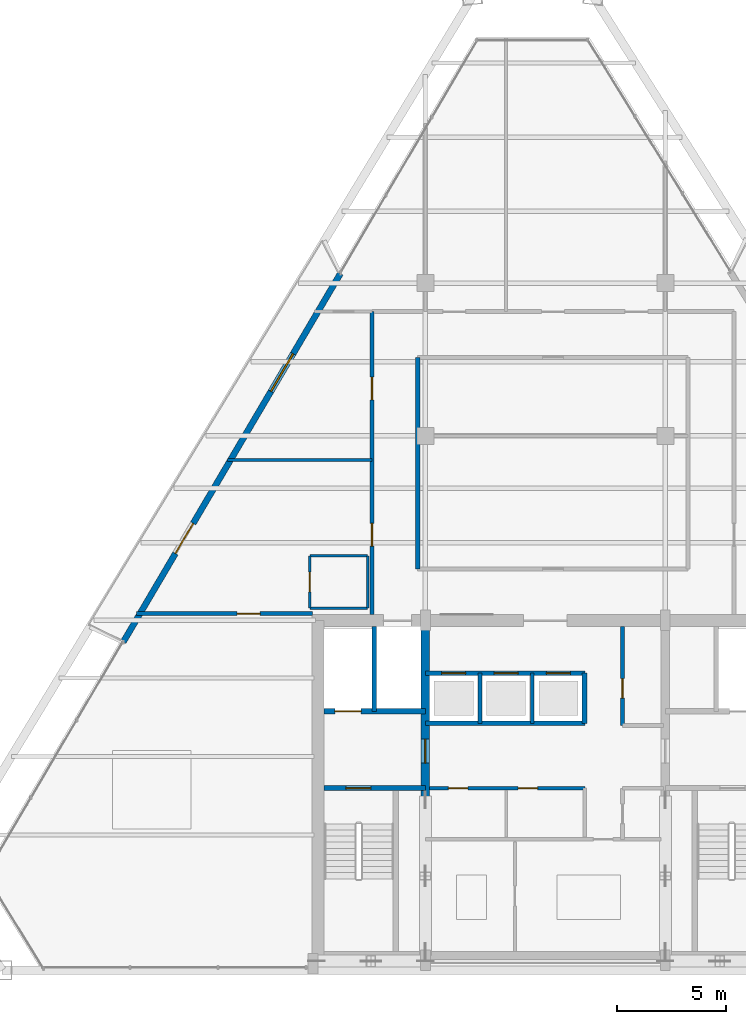
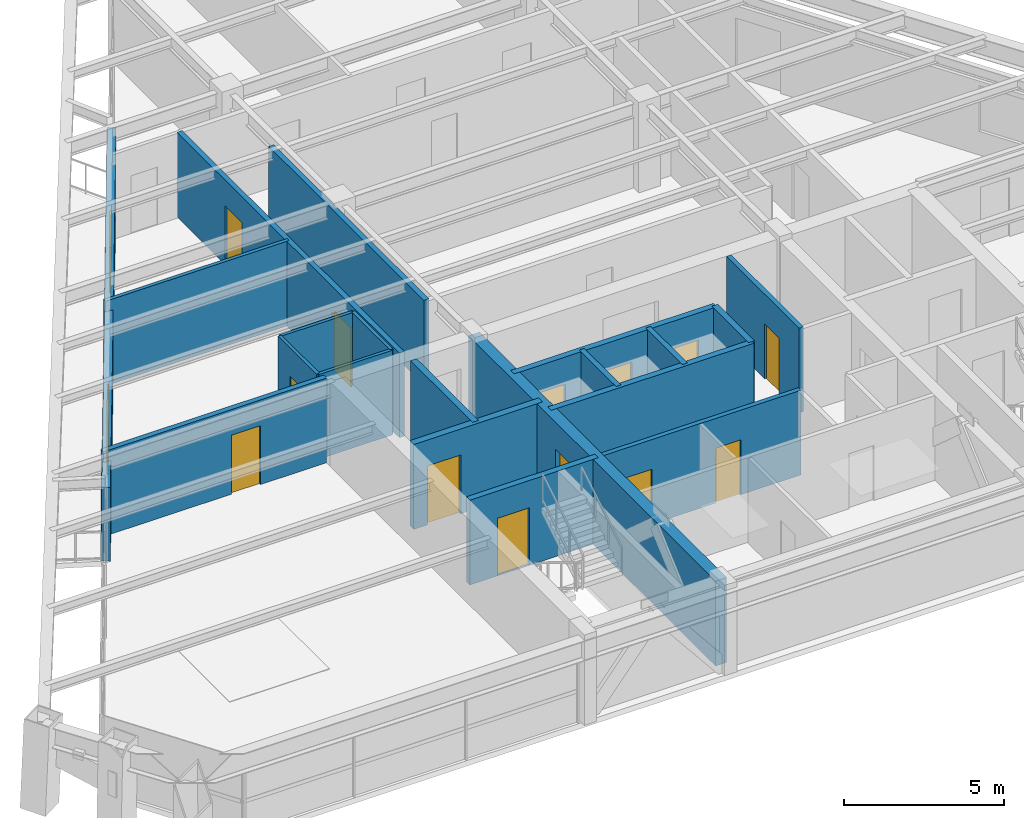
# One storey, part 9 of 14: 20 walls, 14 doors, 1 window, 15 openings.
"""IFC4 building model written with IfcOpenShell, lengths in metres."""

from ifc_helpers import new_model, si_unit, direction, frame, frame_2d, origin, place, context, subcontext, project, spatial, rectangle, extrude, source, transform, mapped, material, layer, layer_set, type_object, type_shapes, element, fill, save


model = new_model("IFC4")

# Units and contexts
model_context = context("Model", 3, precision=1e-05, world=origin(), true_north=direction((0.0, 1.0)))
body_context = subcontext(model_context, "Body", "Model", "MODEL_VIEW")
ifc_project = project(units=[si_unit("LENGTHUNIT", "METRE"), si_unit("AREAUNIT", "SQUARE_METRE"), si_unit("VOLUMEUNIT", "CUBIC_METRE"), si_unit("PLANEANGLEUNIT", "RADIAN"), si_unit("MASSUNIT", "GRAM", prefix="KILO")], contexts=[model_context])

# Site, building, storey
site_placement = place(None, origin())
site = spatial("IfcSite", under=ifc_project, at=site_placement, CompositionType="ELEMENT")
building_placement = place(site_placement, origin())
building = spatial("IfcBuilding", under=site, at=building_placement, Name="Varnakhor Terracotta Tower", CompositionType="ELEMENT")
storey_placement = place(building_placement, frame((0.0, 0.0, 240.699951171875)))
storey = spatial("IfcBuildingStorey", under=building, at=storey_placement, Name="L62", CompositionType="ELEMENT", Elevation=240.699951171875)

# Walls
ifc_material_1 = material(Name="Moisture-Resistant Tile-Backed Partition", Category="gypsum")
ifc_layer_1 = layer(ifc_material_1, 0.114990234375, Name="Moisture-Resistant Tile-Backed Partition")
ifc_layer_set_1 = layer_set([ifc_layer_1], Name="Moisture-Resistant Tile-Backed Partition")
wall_type_1 = type_object("IfcWallType", Name="WAL-BATH-115", PredefinedType="PARTITIONING", material=ifc_layer_set_1)
for number, where, z_axis, x_axis, name in (
    (1, (-10.800048828125, 16.60009765625, 0.0), (0.0, 0.0, 1.0), (1.0, 0.0, 0.0), "L62 En-Suite 1 Wall S"),
    (2, (-10.800048828125, 19.0, 0.0), (0.0, 0.0, 1.0), (1.0, 0.0, 0.0), "L62 En-Suite 1 Wall N"),
):
    element("IfcWall", number, at=place(storey_placement, frame(where, z_axis=z_axis, x_axis=x_axis)), inside=storey, type_object=wall_type_1, Name=name, PredefinedType="PARTITIONING", context=body_context, shape_type="SweptSolid", body=[
        extrude(rectangle(XDim=2.650146484375, YDim=0.114990234375, at=frame_2d((1.3251953125, 0.0))), origin(), (0.0, 0.0, 1.0), 3.23193359375),
    ])

# Wall, opening, door
wall_1_placement = place(storey_placement, frame((-10.800048828125, 16.60009765625, 0.0), z_axis=(0.0, 0.0, 1.0), x_axis=(0.0, 1.0, 0.0)))
wall_1 = element("IfcWall", 3, at=wall_1_placement, inside=storey, type_object=wall_type_1, Name="L62 En-Suite 1 Wall W", PredefinedType="PARTITIONING", context=body_context, shape_type="SweptSolid", body=[
    extrude(rectangle(XDim=2.39990234375, YDim=0.114990234375, at=frame_2d((1.199951171875, 0.0))), origin(), (0.0, 0.0, 1.0), 3.23193359375),
])
opening_1_placement = place(wall_1_placement, frame((0.75, 0.0, 0.0)))
opening_1 = element("IfcOpeningElement", 4, at=opening_1_placement, cuts=wall_1, Name="Opening DR-93", PredefinedType="OPENING", context=body_context, shape_type="SweptSolid", body=[
    extrude(rectangle(XDim=0.89990234375, YDim=2.14990234375, at=frame_2d((0.449951171875, 1.074951171875))), frame((0.0, 0.0673828125, 0.0), z_axis=(0.0, -1.0, 0.0), x_axis=(1.0, 0.0, 0.0)), (0.0, 0.0, 1.0), 0.135009765625),
])
ifc_material_2 = material(Name="Moisture-Resistant Accessible Bathroom Door", Category="wood")
door_type_1 = type_object("IfcDoorType", Name="DR-BATH-900X2150", OperationType="NOTDEFINED", PredefinedType="DOOR", material=ifc_material_2)
shared_shape_1 = source(origin(), body_context, "Body", "SweptSolid", [
    extrude(rectangle(XDim=0.89990234375, YDim=2.14990234375, at=frame_2d((0.449951171875, 1.074951171875))), frame((0.0, 0.02490234375, 0.0), z_axis=(0.0, -1.0, 0.0), x_axis=(1.0, 0.0, 0.0)), (0.0, 0.0, 1.0), 0.050048828125),
])
type_shapes(door_type_1, [shared_shape_1])
door_1_placement = place(opening_1_placement, origin())
door_1 = element("IfcDoor", 5, at=door_1_placement, inside=storey, type_object=door_type_1, Name="L62 En-Suite Bathroom 1 Door", OperationType="SINGLE_SWING_LEFT", OverallHeight=2.14990234375, OverallWidth=0.89990234375, PredefinedType="DOOR", context=body_context, shape_type="MappedRepresentation", body=[
    mapped(shared_shape_1, transform((0.0, 0.0, 0.0), scale=1.0)),
])
fill(opening_1, door_1)

# Wall
wall_2_placement = place(storey_placement, frame((-8.14990234375, 16.60009765625, 0.0), z_axis=(0.0, 0.0, 1.0), x_axis=(0.0, 1.0, 0.0)))
element("IfcWall", 6, at=wall_2_placement, inside=storey, type_object=wall_type_1, Name="L62 En-Suite 1 Wall E", PredefinedType="PARTITIONING", context=body_context, shape_type="SweptSolid", body=[
    extrude(rectangle(XDim=2.39990234375, YDim=0.114990234375, at=frame_2d((1.199951171875, 0.0))), origin(), (0.0, 0.0, 1.0), 3.23193359375),
])

# Wall, opening, door
ifc_material_3 = material(Name="Concrete C50/60", Category="concrete")
ifc_layer_2 = layer(ifc_material_3, 0.39990234375, Name="Concrete C50/60")
ifc_layer_set_2 = layer_set([ifc_layer_2], Name="Concrete C50/60")
wall_type_2 = type_object("IfcWallType", Name="WAL-CORE-WEB-400", PredefinedType="SHEAR", material=ifc_layer_set_2)
wall_3_placement = place(storey_placement, frame((-5.5, 0.574951171875, 0.0), z_axis=(0.0, 0.0, 1.0), x_axis=(0.0, 1.0, 0.0)))
wall_3 = element("IfcWall", 7, at=wall_3_placement, inside=storey, type_object=wall_type_2, Name="L62 West Core Web Shear Wall", PredefinedType="SHEAR", context=body_context, shape_type="SweptSolid", body=[
    extrude(rectangle(XDim=15.449951171875, YDim=0.39990234375, at=frame_2d((7.72509765625, 0.0))), origin(), (0.0, 0.0, 1.0), 3.239990234375),
])
opening_2_placement = place(wall_3_placement, frame((8.925048828125, 0.0, 0.0)))
opening_2 = element("IfcOpeningElement", 8, at=opening_2_placement, cuts=wall_3, Name="Opening DR-25", PredefinedType="OPENING", context=body_context, shape_type="SweptSolid", body=[
    extrude(rectangle(XDim=1.10009765625, YDim=2.199951171875, at=frame_2d((0.550048828125, 1.10009765625))), frame((0.0, 0.2099609375, 0.0), z_axis=(0.0, -1.0, 0.0), x_axis=(1.0, 0.0, 0.0)), (0.0, 0.0, 1.0), 0.419921875),
])
ifc_material_4 = material(Name="Firefighting Lobby Self-Closing Fire Door", Category="steel")
door_type_2 = type_object("IfcDoorType", Name="DR-FFL-1100X2200", OperationType="NOTDEFINED", PredefinedType="DOOR", material=ifc_material_4)
shared_shape_2 = source(origin(), body_context, "Body", "SweptSolid", [
    extrude(rectangle(XDim=1.10009765625, YDim=2.199951171875, at=frame_2d((0.550048828125, 1.10009765625))), frame((0.0, 0.02490234375, 0.0), z_axis=(0.0, -1.0, 0.0), x_axis=(1.0, 0.0, 0.0)), (0.0, 0.0, 1.0), 0.050048828125),
])
type_shapes(door_type_2, [shared_shape_2])
door_2_placement = place(opening_2_placement, origin())
door_2 = element("IfcDoor", 9, at=door_2_placement, inside=storey, type_object=door_type_2, Name="L62 West Firefighting Lobby Door", OperationType="SINGLE_SWING_RIGHT", OverallHeight=2.199951171875, OverallWidth=1.10009765625, PredefinedType="DOOR", context=body_context, shape_type="MappedRepresentation", body=[
    mapped(shared_shape_2, transform((0.0, 0.0, 0.0), scale=1.0)),
])
fill(opening_2, door_2)

# Wall
ifc_material_5 = material(Name="Fire-Rated Gypsum Stud Partition", Category="gypsum")
ifc_layer_3 = layer(ifc_material_5, 0.18505859375, Name="Fire-Rated Gypsum Stud Partition")
ifc_layer_set_3 = layer_set([ifc_layer_3], Name="Fire-Rated Gypsum Stud Partition")
wall_type_3 = type_object("IfcWallType", Name="WAL-CORR-185", PredefinedType="PARTITIONING", material=ifc_layer_set_3)
wall_4_placement = place(storey_placement, frame((-5.85009765625, 18.39990234375, 0.0), z_axis=(0.0, 0.0, 1.0), x_axis=(0.0, 1.0, 0.0)))
element("IfcWall", 10, at=wall_4_placement, inside=storey, type_object=wall_type_3, Name="L62 Ring Inner West Wall", PredefinedType="PARTITIONING", context=body_context, shape_type="SweptSolid", body=[
    extrude(rectangle(XDim=9.7001953125, YDim=0.18505859375, at=frame_2d((4.85009765625, 0.0))), origin(), (0.0, 0.0, 1.0), 3.23193359375),
])

# Wall, openings, doors
wall_5_placement = place(storey_placement, frame((-7.949951171875, 16.300048828125, 0.0), z_axis=(0.0, 0.0, 1.0), x_axis=(0.0, 1.0, 0.0)))
wall_5 = element("IfcWall", 11, at=wall_5_placement, inside=storey, type_object=wall_type_3, Name="L62 Hotel West Corridor Wall", PredefinedType="PARTITIONING", context=body_context, shape_type="SweptSolid", body=[
    extrude(rectangle(XDim=13.89990234375, YDim=0.18505859375, at=frame_2d((6.949951171875, 0.0))), origin(), (0.0, 0.0, 1.0), 3.23193359375),
])
opening_3_placement = place(wall_5_placement, frame((3.143798828125, 0.0, 0.0)))
opening_3 = element("IfcOpeningElement", 12, at=opening_3_placement, cuts=wall_5, Name="Opening DR-95", PredefinedType="OPENING", context=body_context, shape_type="SweptSolid", body=[
    extrude(rectangle(XDim=1.050048828125, YDim=2.25, at=frame_2d((0.52490234375, 1.125))), frame((0.0, 0.1025390625, 0.0), z_axis=(0.0, -1.0, 0.0), x_axis=(1.0, 0.0, 0.0)), (0.0, 0.0, 1.0), 0.205078125),
])
opening_4_placement = place(wall_5_placement, frame((9.848876953125, 0.0, 0.0)))
opening_4 = element("IfcOpeningElement", 13, at=opening_4_placement, cuts=wall_5, Name="Opening DR-95", PredefinedType="OPENING", context=body_context, shape_type="SweptSolid", body=[
    extrude(rectangle(XDim=1.050048828125, YDim=2.25, at=frame_2d((0.52490234375, 1.125))), frame((0.0, 0.1025390625, 0.0), z_axis=(0.0, -1.0, 0.0), x_axis=(1.0, 0.0, 0.0)), (0.0, 0.0, 1.0), 0.205078125),
])
ifc_material_6 = material(Name="Solid-Core Timber Tenant/Hotel Entrance Door", Category="wood")
door_type_3 = type_object("IfcDoorType", Name="DR-SUITE-1050X2250", OperationType="NOTDEFINED", PredefinedType="DOOR", material=ifc_material_6)
shared_shape_3 = source(origin(), body_context, "Body", "SweptSolid", [
    extrude(rectangle(XDim=1.050048828125, YDim=2.25, at=frame_2d((0.52490234375, 1.125))), frame((0.0, 0.02490234375, 0.0), z_axis=(0.0, -1.0, 0.0), x_axis=(1.0, 0.0, 0.0)), (0.0, 0.0, 1.0), 0.050048828125),
])
type_shapes(door_type_3, [shared_shape_3])
door_3_placement = place(opening_3_placement, origin())
door_3 = element("IfcDoor", 14, at=door_3_placement, inside=storey, type_object=door_type_3, Name="L62 West Room 1 Entry Door", OperationType="SINGLE_SWING_RIGHT", OverallHeight=2.25, OverallWidth=1.050048828125, PredefinedType="DOOR", context=body_context, shape_type="MappedRepresentation", body=[
    mapped(shared_shape_3, transform((0.0, 0.0, 0.0), scale=1.0)),
])
fill(opening_3, door_3)
door_4_placement = place(opening_4_placement, origin())
door_4 = element("IfcDoor", 15, at=door_4_placement, inside=storey, type_object=door_type_3, Name="L62 West Room 2 Entry Door", OperationType="SINGLE_SWING_RIGHT", OverallHeight=2.25, OverallWidth=1.050048828125, PredefinedType="DOOR", context=body_context, shape_type="MappedRepresentation", body=[
    mapped(shared_shape_3, transform((0.0, 0.0, 0.0), scale=1.0)),
])
fill(opening_4, door_4)

# Wall, opening, door
wall_6_placement = place(storey_placement, frame((-18.73828125, 16.35009765625, 0.0), z_axis=(0.0, 0.0, 1.0), x_axis=(1.0, 0.0, 0.0)))
wall_6 = element("IfcWall", 16, at=wall_6_placement, inside=storey, type_object=wall_type_3, Name="L62 South West Guest Entry Wall", PredefinedType="PARTITIONING", context=body_context, shape_type="SweptSolid", body=[
    extrude(rectangle(XDim=8.058349609375, YDim=0.18505859375, at=frame_2d((4.029296875, 0.0))), origin(), (0.0, 0.0, 1.0), 3.23193359375),
])
opening_5_placement = place(wall_6_placement, frame((4.61083984375, 0.0, 0.0)))
opening_5 = element("IfcOpeningElement", 17, at=opening_5_placement, cuts=wall_6, Name="Opening DR-95", PredefinedType="OPENING", context=body_context, shape_type="SweptSolid", body=[
    extrude(rectangle(XDim=1.050048828125, YDim=2.25, at=frame_2d((0.52490234375, 1.125))), frame((0.0, 0.1025390625, 0.0), z_axis=(0.0, -1.0, 0.0), x_axis=(1.0, 0.0, 0.0)), (0.0, 0.0, 1.0), 0.205078125),
])
door_5_placement = place(opening_5_placement, origin())
door_5 = element("IfcDoor", 18, at=door_5_placement, inside=storey, type_object=door_type_3, Name="L62 SW Suite Entry Door", OperationType="SINGLE_SWING_LEFT", OverallHeight=2.25, OverallWidth=1.050048828125, PredefinedType="DOOR", context=body_context, shape_type="MappedRepresentation", body=[
    mapped(shared_shape_3, transform((0.0, 0.0, 0.0), scale=1.0)),
])
fill(opening_5, door_5)

# Wall, openings, door, window
ifc_material_7 = material(Name="Extruded Architectural Terracotta Assembly", Category="masonry")
ifc_layer_4 = layer(ifc_material_7, 0.280029296875, Name="Extruded Architectural Terracotta Assembly")
ifc_layer_set_4 = layer_set([ifc_layer_4], Name="Extruded Architectural Terracotta Assembly")
wall_type_4 = type_object("IfcWallType", Name="WAL-EXT-TERRACOTTA-280", PredefinedType="SOLIDWALL", material=ifc_layer_set_4)
wall_7_placement = place(storey_placement, frame((-19.349609375, 15.056396484375, 0.0), z_axis=(0.0, 0.0, 1.0), x_axis=(0.507707822225, 0.861529318858, 0.0)))
wall_7 = element("IfcWall", 19, at=wall_7_placement, inside=storey, type_object=wall_type_4, Name="L62 W Loggia Insulated Terracotta Wall", PredefinedType="SOLIDWALL", context=body_context, shape_type="SweptSolid", body=[
    extrude(rectangle(XDim=19.60595703125, YDim=0.280029296875, at=frame_2d((9.802978515625, 0.0))), origin(), (0.0, 0.0, 1.0), 2.820068359375),
])
opening_6_placement = place(wall_7_placement, frame((4.705322265625, 0.0, 0.0)))
opening_6 = element("IfcOpeningElement", 20, at=opening_6_placement, cuts=wall_7, Name="Opening DR-62", PredefinedType="OPENING", context=body_context, shape_type="SweptSolid", body=[
    extrude(rectangle(XDim=1.60009765625, YDim=2.35009765625, at=frame_2d((0.800048828125, 1.175048828125))), frame((0.0, 0.14990234375, 0.0), z_axis=(0.0, -1.0, 0.0), x_axis=(1.0, 0.0, 0.0)), (0.0, 0.0, 1.0), 0.300048828125),
])
opening_7_placement = place(wall_7_placement, frame((13.33203125, 0.0, 0.89990234375)))
opening_7 = element("IfcOpeningElement", 21, at=opening_7_placement, cuts=wall_7, Name="Opening WN-63", PredefinedType="OPENING", context=body_context, shape_type="SweptSolid", body=[
    extrude(rectangle(XDim=2.0, YDim=1.75, at=frame_2d((1.0, 0.875))), frame((0.0, 0.14990234375, 0.0), z_axis=(0.0, -1.0, 0.0), x_axis=(1.0, 0.0, 0.0)), (0.0, 0.0, 1.0), 0.300048828125),
])
ifc_material_8 = material(Name="Thermally Broken Sliding Glass Loggia Door", Category="glass")
door_type_4 = type_object("IfcDoorType", Name="DR-EXT-LOGGIA-1600X2350", OperationType="NOTDEFINED", PredefinedType="DOOR", material=ifc_material_8)
shared_shape_4 = source(origin(), body_context, "Body", "SweptSolid", [
    extrude(rectangle(XDim=1.60009765625, YDim=2.35009765625, at=frame_2d((0.800048828125, 1.175048828125))), frame((0.0, 0.02490234375, 0.0), z_axis=(0.0, -1.0, 0.0), x_axis=(1.0, 0.0, 0.0)), (0.0, 0.0, 1.0), 0.050048828125),
])
type_shapes(door_type_4, [shared_shape_4])
door_6_placement = place(opening_6_placement, origin())
door_6 = element("IfcDoor", 22, at=door_6_placement, inside=storey, type_object=door_type_4, Name="L62 W Recessed Loggia Sliding Door", OperationType="SLIDING_TO_LEFT", OverallHeight=2.35009765625, OverallWidth=1.60009765625, PredefinedType="DOOR", context=body_context, shape_type="MappedRepresentation", body=[
    mapped(shared_shape_4, transform((0.0, 0.0, 0.0), scale=1.0)),
])
fill(opening_6, door_6)
ifc_material_9 = material(Name="Solar-Control Low-E Insulated Glass Unit", Category="glass")
window_type = type_object("IfcWindowType", Name="WIN-HTL-2000X1950", PartitioningType="SINGLE_PANEL", PredefinedType="WINDOW", material=ifc_material_9)
shared_shape_5 = source(origin(), body_context, "Body", "SweptSolid", [
    extrude(rectangle(XDim=2.0, YDim=1.75, at=frame_2d((1.0, 0.875))), frame((0.0, 0.030029296875, 0.0), z_axis=(0.0, -1.0, 0.0), x_axis=(1.0, 0.0, 0.0)), (0.0, 0.0, 1.0), 0.06005859375),
])
type_shapes(window_type, [shared_shape_5])
window_placement = place(opening_7_placement, origin())
window = element("IfcWindow", 23, at=window_placement, inside=storey, type_object=window_type, Name="L62 W Facet Punched Window", OverallHeight=1.75, OverallWidth=2.0, PartitioningType="SINGLE_PANEL", PredefinedType="WINDOW", context=body_context, shape_type="MappedRepresentation", body=[
    mapped(shared_shape_5, transform((0.0, 0.0, 0.0), scale=1.0)),
])
fill(opening_7, window)

# Wall, opening, door
ifc_material_10 = material(Name="Concrete C40/50", Category="concrete")
ifc_layer_5 = layer(ifc_material_10, 0.219970703125, Name="Concrete C40/50")
ifc_layer_set_5 = layer_set([ifc_layer_5], Name="Concrete C40/50")
wall_type_5 = type_object("IfcWallType", Name="WAL-FFLOBBY-220", PredefinedType="SOLIDWALL", material=ifc_layer_set_5)
wall_8_placement = place(storey_placement, frame((-5.5, 8.35009765625, 0.0), z_axis=(0.0, 0.0, 1.0), x_axis=(-1.0, 0.0, 0.0)))
wall_8 = element("IfcWall", 24, at=wall_8_placement, inside=storey, type_object=wall_type_5, Name="L62 West Firefighting Lobby Stair Wall", PredefinedType="SOLIDWALL", context=body_context, shape_type="SweptSolid", body=[
    extrude(rectangle(XDim=4.64990234375, YDim=0.219970703125, at=frame_2d((2.324951171875, 0.0))), origin(), (0.0, 0.0, 1.0), 3.239990234375),
])
opening_8_placement = place(wall_8_placement, frame((2.5, 0.0, 0.0)))
opening_8 = element("IfcOpeningElement", 25, at=opening_8_placement, cuts=wall_8, Name="Opening DR-34", PredefinedType="OPENING", context=body_context, shape_type="SweptSolid", body=[
    extrude(rectangle(XDim=1.14990234375, YDim=2.199951171875, at=frame_2d((0.574951171875, 1.10009765625))), frame((0.0, 0.1201171875, 0.0), z_axis=(0.0, -1.0, 0.0), x_axis=(1.0, 0.0, 0.0)), (0.0, 0.0, 1.0), 0.239990234375),
])
ifc_material_11 = material(Name="Self-Closing Smoke-Sealed Steel Fire Door", Category="steel")
door_type_5 = type_object("IfcDoorType", Name="DR-STAIR-1150X2200", OperationType="NOTDEFINED", PredefinedType="DOOR", material=ifc_material_11)
shared_shape_6 = source(origin(), body_context, "Body", "SweptSolid", [
    extrude(rectangle(XDim=1.14990234375, YDim=2.199951171875, at=frame_2d((0.574951171875, 1.10009765625))), frame((0.0, 0.02490234375, 0.0), z_axis=(0.0, -1.0, 0.0), x_axis=(1.0, 0.0, 0.0)), (0.0, 0.0, 1.0), 0.050048828125),
])
type_shapes(door_type_5, [shared_shape_6])
door_7_placement = place(opening_8_placement, origin())
door_7 = element("IfcDoor", 26, at=door_7_placement, inside=storey, type_object=door_type_5, Name="L62 Exit Stair ST-1 Fire Door", OperationType="SINGLE_SWING_LEFT", OverallHeight=2.199951171875, OverallWidth=1.14990234375, PredefinedType="DOOR", context=body_context, shape_type="MappedRepresentation", body=[
    mapped(shared_shape_6, transform((0.0, 0.0, 0.0), scale=1.0)),
])
fill(opening_8, door_7)

# Walls
ifc_material_12 = material(Name="Acoustic Hotel Room Partition", Category="gypsum")
ifc_layer_6 = layer(ifc_material_12, 0.1298828125, Name="Acoustic Hotel Room Partition")
ifc_layer_set_6 = layer_set([ifc_layer_6], Name="Acoustic Hotel Room Partition")
wall_type_6 = type_object("IfcWallType", Name="WAL-PART-130", PredefinedType="PARTITIONING", material=ifc_layer_set_6)
wall_9_placement = place(storey_placement, frame((-14.58349609375, 23.39990234375, 0.0), z_axis=(0.0, 0.0, 1.0), x_axis=(1.0, 0.0, 0.0)))
element("IfcWall", 27, at=wall_9_placement, inside=storey, type_object=wall_type_6, Name="L62 West Key Cut 1", PredefinedType="PARTITIONING", context=body_context, shape_type="SweptSolid", body=[
    extrude(rectangle(XDim=6.633544921875, YDim=0.1298828125, at=frame_2d((3.31689453125, 0.0))), origin(), (0.0, 0.0, 1.0), 3.23193359375),
])
ifc_layer_7 = layer(ifc_material_10, 0.179931640625, Name="Concrete C40/50")
ifc_layer_set_7 = layer_set([ifc_layer_7], Name="Concrete C40/50")
wall_type_7 = type_object("IfcWallType", Name="WAL-SHAFT-180", PredefinedType="SOLIDWALL", material=ifc_layer_set_7)
for number, where, z_axis, x_axis, name in (
    (28, (-3.0, 11.320068359375, 0.0), (0.0, 0.0, 1.0), (0.0, 1.0, 0.0), "L62 PL-3A Divider"),
    (29, (-0.60009765625, 11.320068359375, 0.0), (0.0, 0.0, 1.0), (0.0, 1.0, 0.0), "L62 PL-3B Divider"),
):
    element("IfcWall", number, at=place(storey_placement, frame(where, z_axis=z_axis, x_axis=x_axis)), inside=storey, type_object=wall_type_7, Name=name, PredefinedType="SOLIDWALL", context=body_context, shape_type="SweptSolid", body=[
        extrude(rectangle(XDim=2.300048828125, YDim=0.179931640625, at=frame_2d((1.14990234375, 0.0))), origin(), (0.0, 0.0, 1.0), 3.239990234375),
    ])
ifc_layer_8 = layer(ifc_material_10, 0.219970703125, Name="Concrete C40/50")
ifc_layer_set_8 = layer_set([ifc_layer_8], Name="Concrete C40/50")
wall_type_8 = type_object("IfcWallType", Name="WAL-SHAFT-220", PredefinedType="SOLIDWALL", material=ifc_layer_set_8)
wall_10_placement = place(storey_placement, frame((-7.840087890625, 11.8701171875, 0.0), z_axis=(0.0, 0.0, 1.0), x_axis=(0.0, 1.0, 0.0)))
element("IfcWall", 30, at=wall_10_placement, inside=storey, type_object=wall_type_8, Name="L62 Lift FFL-1 and SVL-1 Divider Wall", PredefinedType="SOLIDWALL", context=body_context, shape_type="SweptSolid", body=[
    extrude(rectangle(XDim=3.8798828125, YDim=0.219970703125, at=frame_2d((1.93994140625, 0.0))), origin(), (0.0, 0.0, 1.0), 3.239990234375),
])
wall_11_placement = place(storey_placement, frame((-5.5, 11.320068359375, 0.0), z_axis=(0.0, 0.0, 1.0), x_axis=(1.0, 0.0, 0.0)))
element("IfcWall", 31, at=wall_11_placement, inside=storey, type_object=wall_type_8, Name="L62 Bank 3 South Shaft Wall", PredefinedType="SOLIDWALL", context=body_context, shape_type="SweptSolid", body=[
    extrude(rectangle(XDim=7.320068359375, YDim=0.219970703125, at=frame_2d((3.66015625, 0.0))), origin(), (0.0, 0.0, 1.0), 3.239990234375),
])

# Wall, openings, doors
wall_12_placement = place(storey_placement, frame((-5.5, 13.6201171875, 0.0), z_axis=(0.0, 0.0, 1.0), x_axis=(1.0, 0.0, 0.0)))
wall_12 = element("IfcWall", 32, at=wall_12_placement, inside=storey, type_object=wall_type_8, Name="L62 Bank 3 North Shaft Wall", PredefinedType="SOLIDWALL", context=body_context, shape_type="SweptSolid", body=[
    extrude(rectangle(XDim=7.320068359375, YDim=0.219970703125, at=frame_2d((3.66015625, 0.0))), origin(), (0.0, 0.0, 1.0), 3.239990234375),
])
opening_9_placement = place(wall_12_placement, frame((0.75, 0.0, 0.0)))
opening_9 = element("IfcOpeningElement", 33, at=opening_9_placement, cuts=wall_12, Name="Opening LD-01", PredefinedType="OPENING", context=body_context, shape_type="SweptSolid", body=[
    extrude(rectangle(XDim=1.10009765625, YDim=2.199951171875, at=frame_2d((0.550048828125, 1.10009765625))), frame((0.0, 0.1201171875, 0.0), z_axis=(0.0, -1.0, 0.0), x_axis=(1.0, 0.0, 0.0)), (0.0, 0.0, 1.0), 0.239990234375),
])
opening_10_placement = place(wall_12_placement, frame((3.14990234375, 0.0, 0.0)))
opening_10 = element("IfcOpeningElement", 34, at=opening_10_placement, cuts=wall_12, Name="Opening LD-01", PredefinedType="OPENING", context=body_context, shape_type="SweptSolid", body=[
    extrude(rectangle(XDim=1.10009765625, YDim=2.199951171875, at=frame_2d((0.550048828125, 1.10009765625))), frame((0.0, 0.1201171875, 0.0), z_axis=(0.0, -1.0, 0.0), x_axis=(1.0, 0.0, 0.0)), (0.0, 0.0, 1.0), 0.239990234375),
])
opening_11_placement = place(wall_12_placement, frame((5.550048828125, 0.0, 0.0)))
opening_11 = element("IfcOpeningElement", 35, at=opening_11_placement, cuts=wall_12, Name="Opening LD-01", PredefinedType="OPENING", context=body_context, shape_type="SweptSolid", body=[
    extrude(rectangle(XDim=1.10009765625, YDim=2.199951171875, at=frame_2d((0.550048828125, 1.10009765625))), frame((0.0, 0.1201171875, 0.0), z_axis=(0.0, -1.0, 0.0), x_axis=(1.0, 0.0, 0.0)), (0.0, 0.0, 1.0), 0.239990234375),
])
ifc_material_13 = material(Name="Brushed Stainless Steel Sliding Lift Landing Door", Category="steel")
door_type_6 = type_object("IfcDoorType", Name="LD-PASS-1100X2200", OperationType="NOTDEFINED", PredefinedType="DOOR", material=ifc_material_13)
shared_shape_7 = source(origin(), body_context, "Body", "SweptSolid", [
    extrude(rectangle(XDim=1.10009765625, YDim=2.199951171875, at=frame_2d((0.550048828125, 1.10009765625))), frame((0.0, 0.02490234375, 0.0), z_axis=(0.0, -1.0, 0.0), x_axis=(1.0, 0.0, 0.0)), (0.0, 0.0, 1.0), 0.050048828125),
])
type_shapes(door_type_6, [shared_shape_7])
door_8_placement = place(opening_9_placement, origin())
door_8 = element("IfcDoor", 36, at=door_8_placement, inside=storey, type_object=door_type_6, Name="L62 Passenger Lift PL-3A Landing Door", OperationType="SLIDING_TO_RIGHT", OverallHeight=2.199951171875, OverallWidth=1.10009765625, PredefinedType="DOOR", context=body_context, shape_type="MappedRepresentation", body=[
    mapped(shared_shape_7, transform((0.0, 0.0, 0.0), scale=1.0)),
])
fill(opening_9, door_8)
door_9_placement = place(opening_10_placement, origin())
door_9 = element("IfcDoor", 37, at=door_9_placement, inside=storey, type_object=door_type_6, Name="L62 Passenger Lift PL-3B Landing Door", OperationType="SLIDING_TO_RIGHT", OverallHeight=2.199951171875, OverallWidth=1.10009765625, PredefinedType="DOOR", context=body_context, shape_type="MappedRepresentation", body=[
    mapped(shared_shape_7, transform((0.0, 0.0, 0.0), scale=1.0)),
])
fill(opening_10, door_9)
door_10_placement = place(opening_11_placement, origin())
door_10 = element("IfcDoor", 38, at=door_10_placement, inside=storey, type_object=door_type_6, Name="L62 Passenger Lift PL-3C Landing Door", OperationType="SLIDING_TO_RIGHT", OverallHeight=2.199951171875, OverallWidth=1.10009765625, PredefinedType="DOOR", context=body_context, shape_type="MappedRepresentation", body=[
    mapped(shared_shape_7, transform((0.0, 0.0, 0.0), scale=1.0)),
])
fill(opening_11, door_10)

# Wall
wall_13_placement = place(storey_placement, frame((1.800048828125, 11.320068359375, 0.0), z_axis=(0.0, 0.0, 1.0), x_axis=(0.0, 1.0, 0.0)))
element("IfcWall", 39, at=wall_13_placement, inside=storey, type_object=wall_type_8, Name="L62 Bank 3 East Shaft Wall", PredefinedType="SOLIDWALL", context=body_context, shape_type="SweptSolid", body=[
    extrude(rectangle(XDim=2.300048828125, YDim=0.219970703125, at=frame_2d((1.14990234375, 0.0))), origin(), (0.0, 0.0, 1.0), 3.239990234375),
])

# Wall, opening, door
ifc_layer_9 = layer(ifc_material_10, 0.25, Name="Concrete C40/50")
ifc_layer_set_9 = layer_set([ifc_layer_9], Name="Concrete C40/50")
wall_type_9 = type_object("IfcWallType", Name="WAL-SHAFT-250", PredefinedType="SOLIDWALL", material=ifc_layer_set_9)
wall_14_placement = place(storey_placement, frame((-5.5, 11.8701171875, 0.0), z_axis=(0.0, 0.0, 1.0), x_axis=(-1.0, 0.0, 0.0)))
wall_14 = element("IfcWall", 40, at=wall_14_placement, inside=storey, type_object=wall_type_9, Name="L62 Lift FFL-1 Shaft Front Wall", PredefinedType="SOLIDWALL", context=body_context, shape_type="SweptSolid", body=[
    extrude(rectangle(XDim=4.64990234375, YDim=0.25, at=frame_2d((2.324951171875, 0.0))), origin(), (0.0, 0.0, 1.0), 3.239990234375),
])
opening_12_placement = place(wall_14_placement, frame((2.949951171875, 0.0, 0.0)))
opening_12 = element("IfcOpeningElement", 41, at=opening_12_placement, cuts=wall_14, Name="Opening LD-02", PredefinedType="OPENING", context=body_context, shape_type="SweptSolid", body=[
    extrude(rectangle(XDim=1.199951171875, YDim=2.25, at=frame_2d((0.60009765625, 1.125))), frame((0.0, 0.135009765625, 0.0), z_axis=(0.0, -1.0, 0.0), x_axis=(1.0, 0.0, 0.0)), (0.0, 0.0, 1.0), 0.27001953125),
])
ifc_material_14 = material(Name="Firefighting Stretcher Sliding Lift Landing Door", Category="steel")
door_type_7 = type_object("IfcDoorType", Name="LD-FFL-1200X2250", OperationType="NOTDEFINED", PredefinedType="DOOR", material=ifc_material_14)
shared_shape_8 = source(origin(), body_context, "Body", "SweptSolid", [
    extrude(rectangle(XDim=1.199951171875, YDim=2.25, at=frame_2d((0.60009765625, 1.125))), frame((0.0, 0.02490234375, 0.0), z_axis=(0.0, -1.0, 0.0), x_axis=(1.0, 0.0, 0.0)), (0.0, 0.0, 1.0), 0.050048828125),
])
type_shapes(door_type_7, [shared_shape_8])
door_11_placement = place(opening_12_placement, origin())
door_11 = element("IfcDoor", 42, at=door_11_placement, inside=storey, type_object=door_type_7, Name="L62 Firefighting Lift FFL-1 Landing Door", OperationType="SLIDING_TO_LEFT", OverallHeight=2.25, OverallWidth=1.199951171875, PredefinedType="DOOR", context=body_context, shape_type="MappedRepresentation", body=[
    mapped(shared_shape_8, transform((0.0, 0.0, 0.0), scale=1.0)),
])
fill(opening_12, door_11)

# Wall, openings, doors
ifc_material_15 = material(Name="Acoustic Fire-Rated Partition", Category="gypsum")
ifc_layer_10 = layer(ifc_material_15, 0.1650390625, Name="Acoustic Fire-Rated Partition")
ifc_layer_set_10 = layer_set([ifc_layer_10], Name="Acoustic Fire-Rated Partition")
wall_type_10 = type_object("IfcWallType", Name="WAL-TENANCY-165", PredefinedType="PARTITIONING", material=ifc_layer_set_10)
wall_15_placement = place(storey_placement, frame((-5.300048828125, 8.35009765625, 0.0), z_axis=(0.0, 0.0, 1.0), x_axis=(1.0, 0.0, 0.0)))
wall_15 = element("IfcWall", 43, at=wall_15_placement, inside=storey, type_object=wall_type_10, Name="L62 Reclaimed Mid-Core North Wall", PredefinedType="PARTITIONING", context=body_context, shape_type="SweptSolid", body=[
    extrude(rectangle(XDim=7.1201171875, YDim=0.1650390625, at=frame_2d((3.56005859375, 0.0))), origin(), (0.0, 0.0, 1.0), 3.23193359375),
])
opening_13_placement = place(wall_15_placement, frame((0.85009765625, 0.0, 0.0)))
opening_13 = element("IfcOpeningElement", 44, at=opening_13_placement, cuts=wall_15, Name="Opening DR-67", PredefinedType="OPENING", context=body_context, shape_type="SweptSolid", body=[
    extrude(rectangle(XDim=0.89990234375, YDim=2.10009765625, at=frame_2d((0.449951171875, 1.050048828125))), frame((0.0, 0.092529296875, 0.0), z_axis=(0.0, -1.0, 0.0), x_axis=(1.0, 0.0, 0.0)), (0.0, 0.0, 1.0), 0.18505859375),
])
opening_14_placement = place(wall_15_placement, frame((4.050048828125, 0.0, 0.0)))
opening_14 = element("IfcOpeningElement", 45, at=opening_14_placement, cuts=wall_15, Name="Opening DR-67", PredefinedType="OPENING", context=body_context, shape_type="SweptSolid", body=[
    extrude(rectangle(XDim=0.89990234375, YDim=2.10009765625, at=frame_2d((0.449951171875, 1.050048828125))), frame((0.0, 0.092529296875, 0.0), z_axis=(0.0, -1.0, 0.0), x_axis=(1.0, 0.0, 0.0)), (0.0, 0.0, 1.0), 0.18505859375),
])
ifc_material_16 = material(Name="Steel Service Riser Fire Door", Category="steel")
door_type_8 = type_object("IfcDoorType", Name="DR-RISER-900X2100", OperationType="NOTDEFINED", PredefinedType="DOOR", material=ifc_material_16)
shared_shape_9 = source(origin(), body_context, "Body", "SweptSolid", [
    extrude(rectangle(XDim=0.89990234375, YDim=2.10009765625, at=frame_2d((0.449951171875, 1.050048828125))), frame((0.0, 0.02490234375, 0.0), z_axis=(0.0, -1.0, 0.0), x_axis=(1.0, 0.0, 0.0)), (0.0, 0.0, 1.0), 0.050048828125),
])
type_shapes(door_type_8, [shared_shape_9])
door_12_placement = place(opening_13_placement, origin())
door_12 = element("IfcDoor", 46, at=door_12_placement, inside=storey, type_object=door_type_8, Name="L62 Core West Restroom Door", OperationType="SINGLE_SWING_RIGHT", OverallHeight=2.10009765625, OverallWidth=0.89990234375, PredefinedType="DOOR", context=body_context, shape_type="MappedRepresentation", body=[
    mapped(shared_shape_9, transform((0.0, 0.0, 0.0), scale=1.0)),
])
fill(opening_13, door_12)
door_13_placement = place(opening_14_placement, origin())
door_13 = element("IfcDoor", 47, at=door_13_placement, inside=storey, type_object=door_type_8, Name="L62 Core East Restroom Door", OperationType="SINGLE_SWING_LEFT", OverallHeight=2.10009765625, OverallWidth=0.89990234375, PredefinedType="DOOR", context=body_context, shape_type="MappedRepresentation", body=[
    mapped(shared_shape_9, transform((0.0, 0.0, 0.0), scale=1.0)),
])
fill(opening_14, door_13)

# Wall, opening, door
wall_16_placement = place(storey_placement, frame((3.5400390625, 11.219970703125, 0.0), z_axis=(0.0, 0.0, 1.0), x_axis=(0.0, 1.0, 0.0)))
wall_16 = element("IfcWall", 48, at=wall_16_placement, inside=storey, type_object=wall_type_10, Name="L62 Restroom Corridor Wall", PredefinedType="PARTITIONING", context=body_context, shape_type="SweptSolid", body=[
    extrude(rectangle(XDim=4.530029296875, YDim=0.1650390625, at=frame_2d((2.26513671875, 0.0))), origin(), (0.0, 0.0, 1.0), 3.23193359375),
])
opening_15_placement = place(wall_16_placement, frame((1.25, 0.0, 0.0)))
opening_15 = element("IfcOpeningElement", 49, at=opening_15_placement, cuts=wall_16, Name="Opening DR-67", PredefinedType="OPENING", context=body_context, shape_type="SweptSolid", body=[
    extrude(rectangle(XDim=0.89990234375, YDim=2.10009765625, at=frame_2d((0.449951171875, 1.050048828125))), frame((0.0, 0.092529296875, 0.0), z_axis=(0.0, -1.0, 0.0), x_axis=(1.0, 0.0, 0.0)), (0.0, 0.0, 1.0), 0.18505859375),
])
door_14_placement = place(opening_15_placement, origin())
door_14 = element("IfcDoor", 50, at=door_14_placement, inside=storey, type_object=door_type_8, Name="L62 Female WC Door", OperationType="SINGLE_SWING_RIGHT", OverallHeight=2.10009765625, OverallWidth=0.89990234375, PredefinedType="DOOR", context=body_context, shape_type="MappedRepresentation", body=[
    mapped(shared_shape_9, transform((0.0, 0.0, 0.0), scale=1.0)),
])
fill(opening_15, door_14)

save(model, "model.ifc")
